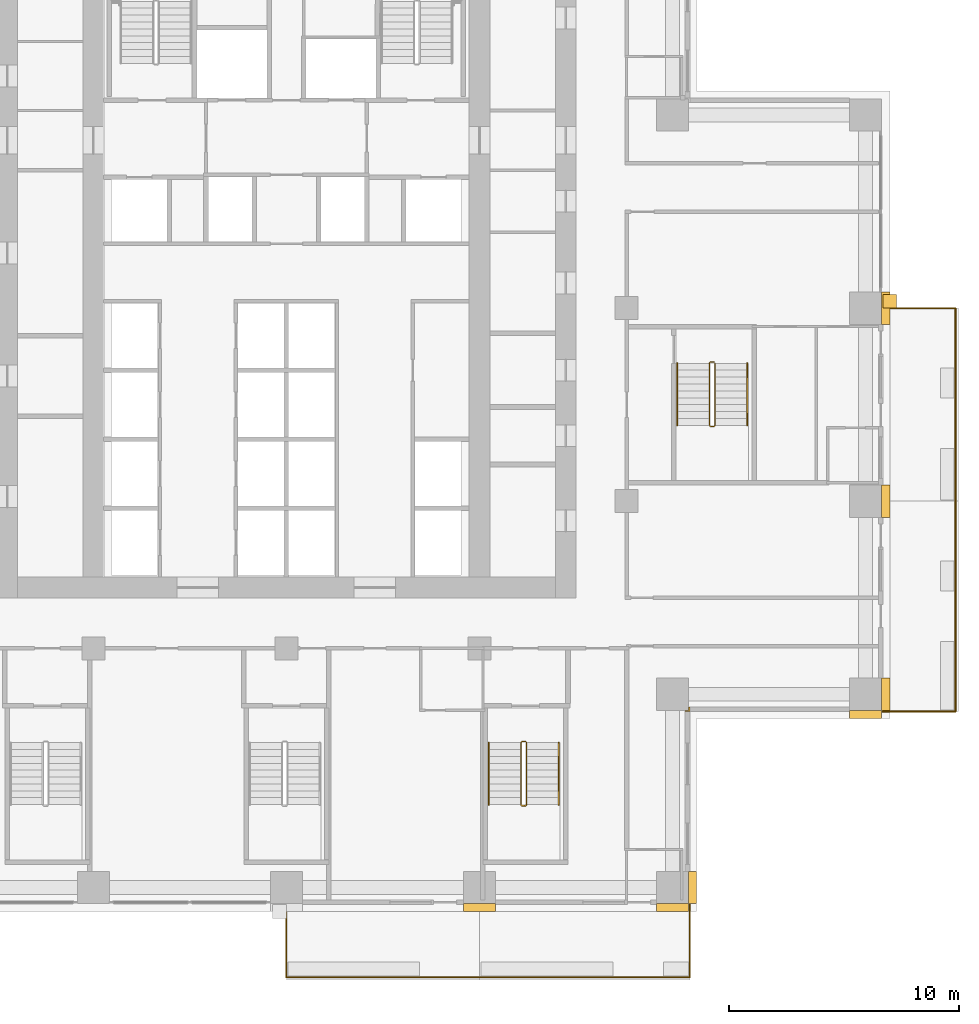
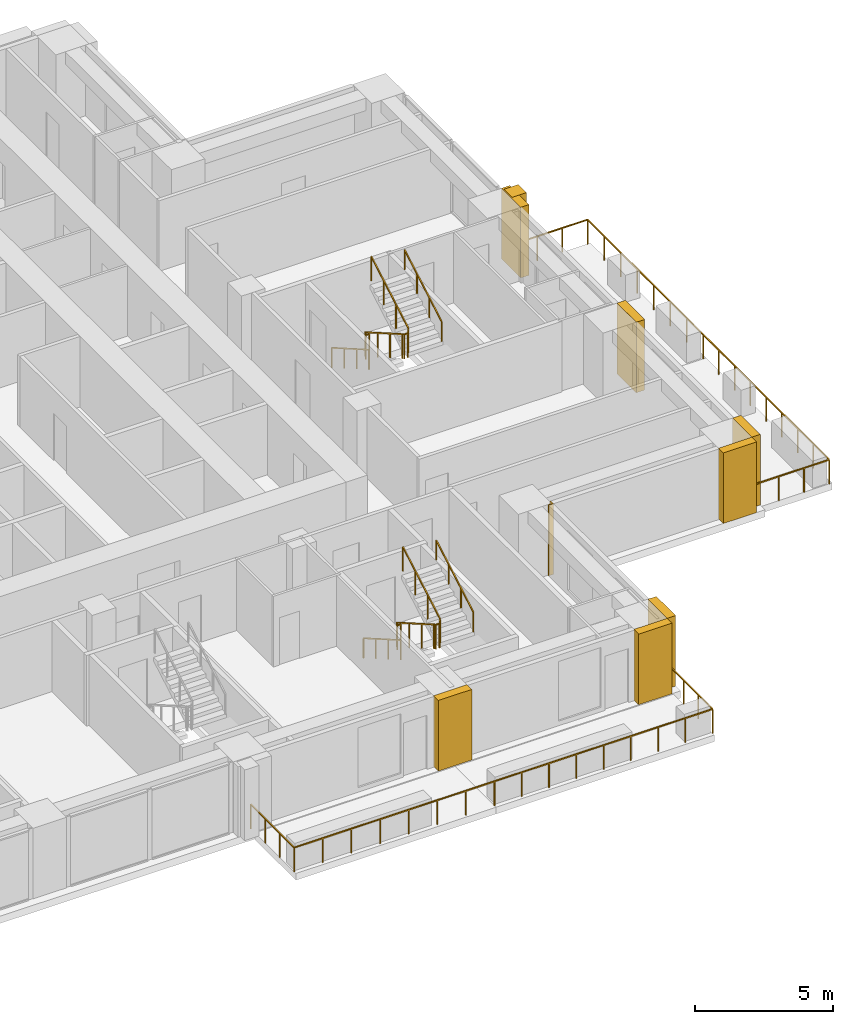
# One storey, part 16 of 17: 10 railings, 9 coverings.
"""IFC4 building model written with IfcOpenShell, lengths in metres."""

from ifc_helpers import new_model, si_unit, direction, frame, origin, origin_2d, place, context, subcontext, project, spatial, polyline, rectangle, outline, extrude, material, type_object, element, save


model = new_model("IFC4")

# Units and contexts
model_context = context("Model", 3, precision=1e-05, world=origin(), true_north=direction((0.0, 1.0)))
body_context = subcontext(model_context, "Body", "Model", "MODEL_VIEW")
ifc_project = project(units=[si_unit("LENGTHUNIT", "METRE"), si_unit("AREAUNIT", "SQUARE_METRE"), si_unit("VOLUMEUNIT", "CUBIC_METRE"), si_unit("PLANEANGLEUNIT", "RADIAN"), si_unit("MASSUNIT", "GRAM", prefix="KILO")], contexts=[model_context])

# Site, building, storey
site_placement = place(None, origin())
site = spatial("IfcSite", under=ifc_project, at=site_placement, CompositionType="ELEMENT")
building_placement = place(site_placement, origin())
building = spatial("IfcBuilding", under=site, at=building_placement, Name="Vermilion Ogive Tower", CompositionType="ELEMENT")
storey_placement = place(building_placement, frame((0.0, 0.0, 51.75)))
storey = spatial("IfcBuildingStorey", under=building, at=storey_placement, Name="L11", CompositionType="ELEMENT", Elevation=51.75)

# Railings
ifc_material_1 = material(Name="Stainless steel and glass", Category="steel")
railing_type_1 = type_object("IfcRailingType", Name="Balcony guard", PredefinedType="GUARDRAIL", material=ifc_material_1)
railing_1_placement = place(storey_placement, frame((0.0, -21.75, -0.0400390625)))
element("IfcRailing", 1, at=railing_1_placement, inside=storey, type_object=railing_type_1, Name="Guard S03", PredefinedType="GUARDRAIL", context=body_context, shape_type="SweptSolid", body=[
    extrude(rectangle(XDim=0.048095703125, YDim=0.048095703125, at=origin_2d()), frame((0.0, 0.0, 1.076171875), z_axis=(0.0, -1.0, 0.0), x_axis=(1.0, 0.0, 0.0)), (0.0, 0.0, 1.0), 3.159912109375),
    extrude(rectangle(XDim=0.048095703125, YDim=0.048095703125, at=origin_2d()), frame((0.0, -3.159912109375, 1.076171875), z_axis=(1.0, 0.0, 0.0), x_axis=(0.0, 1.0, 0.0)), (0.0, 0.0, 1.0), 8.39990234375),
    extrude(rectangle(XDim=0.0419921875, YDim=0.0419921875, at=origin_2d()), origin(), (0.0, 0.0, 1.0), 1.052001953125),
    extrude(rectangle(XDim=0.0419921875, YDim=0.0419921875, at=origin_2d()), frame((0.0, -1.05322265625, 0.0)), (0.0, 0.0, 1.0), 1.052001953125),
    extrude(rectangle(XDim=0.0419921875, YDim=0.0419921875, at=origin_2d()), frame((0.0, -2.106689453125, 0.0)), (0.0, 0.0, 1.0), 1.052001953125),
    extrude(rectangle(XDim=0.0419921875, YDim=0.0419921875, at=origin_2d()), frame((0.0, -3.159912109375, 0.0)), (0.0, 0.0, 1.0), 1.052001953125),
    extrude(rectangle(XDim=0.0419921875, YDim=0.0419921875, at=origin_2d()), frame((1.199951171875, -3.159912109375, 0.0)), (0.0, 0.0, 1.0), 1.052001953125),
    extrude(rectangle(XDim=0.0419921875, YDim=0.0419921875, at=origin_2d()), frame((2.39990234375, -3.159912109375, 0.0)), (0.0, 0.0, 1.0), 1.052001953125),
    extrude(rectangle(XDim=0.0419921875, YDim=0.0419921875, at=origin_2d()), frame((3.599853515625, -3.159912109375, 0.0)), (0.0, 0.0, 1.0), 1.052001953125),
    extrude(rectangle(XDim=0.0419921875, YDim=0.0419921875, at=origin_2d()), frame((4.800048828125, -3.159912109375, 0.0)), (0.0, 0.0, 1.0), 1.052001953125),
    extrude(rectangle(XDim=0.0419921875, YDim=0.0419921875, at=origin_2d()), frame((6.0, -3.159912109375, 0.0)), (0.0, 0.0, 1.0), 1.052001953125),
    extrude(rectangle(XDim=0.0419921875, YDim=0.0419921875, at=origin_2d()), frame((7.199951171875, -3.159912109375, 0.0)), (0.0, 0.0, 1.0), 1.052001953125),
    extrude(rectangle(XDim=0.0419921875, YDim=0.0419921875, at=origin_2d()), frame((8.39990234375, -3.159912109375, 0.0)), (0.0, 0.0, 1.0), 1.052001953125),
])
railing_2_placement = place(storey_placement, frame((8.39990234375, -24.909912109375, -0.0400390625)))
element("IfcRailing", 2, at=railing_2_placement, inside=storey, type_object=railing_type_1, Name="Guard S04", PredefinedType="GUARDRAIL", context=body_context, shape_type="SweptSolid", body=[
    extrude(rectangle(XDim=0.048095703125, YDim=0.048095703125, at=origin_2d()), frame((0.0, 0.0, 1.076171875), z_axis=(1.0, 0.0, 0.0), x_axis=(0.0, 1.0, 0.0)), (0.0, 0.0, 1.0), 9.150146484375),
    extrude(rectangle(XDim=0.048095703125, YDim=0.048095703125, at=origin_2d()), frame((9.150146484375, 0.0, 1.076171875), z_axis=(0.0, 1.0, 0.0), x_axis=(-1.0, 0.0, 0.0)), (0.0, 0.0, 1.0), 3.159912109375),
    extrude(rectangle(XDim=0.0419921875, YDim=0.0419921875, at=origin_2d()), origin(), (0.0, 0.0, 1.0), 1.052001953125),
    extrude(rectangle(XDim=0.0419921875, YDim=0.0419921875, at=origin_2d()), frame((1.143798828125, 0.0, 0.0)), (0.0, 0.0, 1.0), 1.052001953125),
    extrude(rectangle(XDim=0.0419921875, YDim=0.0419921875, at=origin_2d()), frame((2.28759765625, 0.0, 0.0)), (0.0, 0.0, 1.0), 1.052001953125),
    extrude(rectangle(XDim=0.0419921875, YDim=0.0419921875, at=origin_2d()), frame((3.431396484375, 0.0, 0.0)), (0.0, 0.0, 1.0), 1.052001953125),
    extrude(rectangle(XDim=0.0419921875, YDim=0.0419921875, at=origin_2d()), frame((4.5751953125, 0.0, 0.0)), (0.0, 0.0, 1.0), 1.052001953125),
    extrude(rectangle(XDim=0.0419921875, YDim=0.0419921875, at=origin_2d()), frame((5.71875, 0.0, 0.0)), (0.0, 0.0, 1.0), 1.052001953125),
    extrude(rectangle(XDim=0.0419921875, YDim=0.0419921875, at=origin_2d()), frame((6.862548828125, 0.0, 0.0)), (0.0, 0.0, 1.0), 1.052001953125),
    extrude(rectangle(XDim=0.0419921875, YDim=0.0419921875, at=origin_2d()), frame((8.00634765625, 0.0, 0.0)), (0.0, 0.0, 1.0), 1.052001953125),
    extrude(rectangle(XDim=0.0419921875, YDim=0.0419921875, at=origin_2d()), frame((9.150146484375, 0.0, 0.0)), (0.0, 0.0, 1.0), 1.052001953125),
    extrude(rectangle(XDim=0.0419921875, YDim=0.0419921875, at=origin_2d()), frame((9.150146484375, 1.05322265625, 0.0)), (0.0, 0.0, 1.0), 1.052001953125),
    extrude(rectangle(XDim=0.0419921875, YDim=0.0419921875, at=origin_2d()), frame((9.150146484375, 2.106689453125, 0.0)), (0.0, 0.0, 1.0), 1.052001953125),
    extrude(rectangle(XDim=0.0419921875, YDim=0.0419921875, at=origin_2d()), frame((9.150146484375, 3.159912109375, 0.0)), (0.0, 0.0, 1.0), 1.052001953125),
])
railing_3_placement = place(storey_placement, frame((25.949951171875, -13.35009765625, -0.0400390625)))
element("IfcRailing", 3, at=railing_3_placement, inside=storey, type_object=railing_type_1, Name="Guard E01", PredefinedType="GUARDRAIL", context=body_context, shape_type="SweptSolid", body=[
    extrude(rectangle(XDim=0.048095703125, YDim=0.048095703125, at=origin_2d()), frame((0.0, 0.0, 1.076171875), z_axis=(1.0, 0.0, 0.0), x_axis=(0.0, 1.0, 0.0)), (0.0, 0.0, 1.0), 3.16015625),
    extrude(rectangle(XDim=0.048095703125, YDim=0.048095703125, at=origin_2d()), frame((3.16015625, 0.0, 1.076171875), z_axis=(0.0, 1.0, 0.0), x_axis=(-1.0, 0.0, 0.0)), (0.0, 0.0, 1.0), 9.150146484375),
    extrude(rectangle(XDim=0.0419921875, YDim=0.0419921875, at=origin_2d()), origin(), (0.0, 0.0, 1.0), 1.052001953125),
    extrude(rectangle(XDim=0.0419921875, YDim=0.0419921875, at=origin_2d()), frame((1.053466796875, 0.0, 0.0)), (0.0, 0.0, 1.0), 1.052001953125),
    extrude(rectangle(XDim=0.0419921875, YDim=0.0419921875, at=origin_2d()), frame((2.106689453125, 0.0, 0.0)), (0.0, 0.0, 1.0), 1.052001953125),
    extrude(rectangle(XDim=0.0419921875, YDim=0.0419921875, at=origin_2d()), frame((3.16015625, 0.0, 0.0)), (0.0, 0.0, 1.0), 1.052001953125),
    extrude(rectangle(XDim=0.0419921875, YDim=0.0419921875, at=origin_2d()), frame((3.16015625, 1.143798828125, 0.0)), (0.0, 0.0, 1.0), 1.052001953125),
    extrude(rectangle(XDim=0.0419921875, YDim=0.0419921875, at=origin_2d()), frame((3.16015625, 2.28759765625, 0.0)), (0.0, 0.0, 1.0), 1.052001953125),
    extrude(rectangle(XDim=0.0419921875, YDim=0.0419921875, at=origin_2d()), frame((3.16015625, 3.431396484375, 0.0)), (0.0, 0.0, 1.0), 1.052001953125),
    extrude(rectangle(XDim=0.0419921875, YDim=0.0419921875, at=origin_2d()), frame((3.16015625, 4.5751953125, 0.0)), (0.0, 0.0, 1.0), 1.052001953125),
    extrude(rectangle(XDim=0.0419921875, YDim=0.0419921875, at=origin_2d()), frame((3.16015625, 5.71875, 0.0)), (0.0, 0.0, 1.0), 1.052001953125),
    extrude(rectangle(XDim=0.0419921875, YDim=0.0419921875, at=origin_2d()), frame((3.16015625, 6.862548828125, 0.0)), (0.0, 0.0, 1.0), 1.052001953125),
    extrude(rectangle(XDim=0.0419921875, YDim=0.0419921875, at=origin_2d()), frame((3.16015625, 8.00634765625, 0.0)), (0.0, 0.0, 1.0), 1.052001953125),
    extrude(rectangle(XDim=0.0419921875, YDim=0.0419921875, at=origin_2d()), frame((3.16015625, 9.150146484375, 0.0)), (0.0, 0.0, 1.0), 1.052001953125),
])
railing_4_placement = place(storey_placement, frame((29.110107421875, -4.199951171875, -0.0400390625)))
element("IfcRailing", 4, at=railing_4_placement, inside=storey, type_object=railing_type_1, Name="Guard E02", PredefinedType="GUARDRAIL", context=body_context, shape_type="SweptSolid", body=[
    extrude(rectangle(XDim=0.048095703125, YDim=0.048095703125, at=origin_2d()), frame((0.0, 0.0, 1.076171875), z_axis=(0.0, 1.0, 0.0), x_axis=(-1.0, 0.0, 0.0)), (0.0, 0.0, 1.0), 8.39990234375),
    extrude(rectangle(XDim=0.048095703125, YDim=0.048095703125, at=origin_2d()), frame((0.0, 8.39990234375, 1.076171875), z_axis=(-1.0, 0.0, 0.0), x_axis=(0.0, -1.0, 0.0)), (0.0, 0.0, 1.0), 3.16015625),
    extrude(rectangle(XDim=0.0419921875, YDim=0.0419921875, at=origin_2d()), origin(), (0.0, 0.0, 1.0), 1.052001953125),
    extrude(rectangle(XDim=0.0419921875, YDim=0.0419921875, at=origin_2d()), frame((0.0, 1.199951171875, 0.0)), (0.0, 0.0, 1.0), 1.052001953125),
    extrude(rectangle(XDim=0.0419921875, YDim=0.0419921875, at=origin_2d()), frame((0.0, 2.39990234375, 0.0)), (0.0, 0.0, 1.0), 1.052001953125),
    extrude(rectangle(XDim=0.0419921875, YDim=0.0419921875, at=origin_2d()), frame((0.0, 3.599853515625, 0.0)), (0.0, 0.0, 1.0), 1.052001953125),
    extrude(rectangle(XDim=0.0419921875, YDim=0.0419921875, at=origin_2d()), frame((0.0, 4.800048828125, 0.0)), (0.0, 0.0, 1.0), 1.052001953125),
    extrude(rectangle(XDim=0.0419921875, YDim=0.0419921875, at=origin_2d()), frame((0.0, 6.0, 0.0)), (0.0, 0.0, 1.0), 1.052001953125),
    extrude(rectangle(XDim=0.0419921875, YDim=0.0419921875, at=origin_2d()), frame((0.0, 7.199951171875, 0.0)), (0.0, 0.0, 1.0), 1.052001953125),
    extrude(rectangle(XDim=0.0419921875, YDim=0.0419921875, at=origin_2d()), frame((0.0, 8.39990234375, 0.0)), (0.0, 0.0, 1.0), 1.052001953125),
    extrude(rectangle(XDim=0.0419921875, YDim=0.0419921875, at=origin_2d()), frame((-1.053466796875, 8.39990234375, 0.0)), (0.0, 0.0, 1.0), 1.052001953125),
    extrude(rectangle(XDim=0.0419921875, YDim=0.0419921875, at=origin_2d()), frame((-2.106689453125, 8.39990234375, 0.0)), (0.0, 0.0, 1.0), 1.052001953125),
    extrude(rectangle(XDim=0.0419921875, YDim=0.0419921875, at=origin_2d()), frame((-3.16015625, 8.39990234375, 0.0)), (0.0, 0.0, 1.0), 1.052001953125),
])
ifc_material_2 = material(Name="Steel S355 painted", Category="steel")
railing_type_2 = type_object("IfcRailingType", Name="Stair guard 1100", PredefinedType="GUARDRAIL", material=ifc_material_2)
railing_5_placement = place(storey_placement, frame((10.39990234375, -14.64990234375, 0.0)))
element("IfcRailing", 5, at=railing_5_placement, inside=storey, type_object=railing_type_2, Name="L11 ST5 stair guard 4", PredefinedType="GUARDRAIL", context=body_context, shape_type="SweptSolid", body=[
    extrude(rectangle(XDim=0.048095703125, YDim=0.048095703125, at=origin_2d()), frame((0.0, 0.0, 1.076171875), z_axis=(-1.0, 0.0, 0.0), x_axis=(0.0, -1.0, 0.0)), (0.0, 0.0, 1.0), 0.14990234375),
    extrude(rectangle(XDim=0.048095703125, YDim=0.048095703125, at=origin_2d()), frame((-0.14990234375, 0.0, 1.076171875), z_axis=(-0.268277960024, -0.268277960024, 0.925231793839), x_axis=(0.707106781187, -0.707106781187, 0.0)), (0.0, 0.0, 1.0), 0.1865234375),
    extrude(rectangle(XDim=0.048095703125, YDim=0.048095703125, at=origin_2d()), frame((-0.199951171875, -0.050048828125, 1.24853515625), z_axis=(0.0, -0.866903762492, 0.498475542607), x_axis=(1.0, 0.0, 0.0)), (0.0, 0.0, 1.0), 3.114501953125),
    extrude(rectangle(XDim=0.048095703125, YDim=0.048095703125, at=origin_2d()), frame((-0.199951171875, -2.75, 2.80126953125), z_axis=(0.707106781187, -0.707106781187, 0.0), x_axis=(0.707106781187, 0.707106781187, 0.0)), (0.0, 0.0, 1.0), 0.07080078125),
    extrude(rectangle(XDim=0.048095703125, YDim=0.048095703125, at=origin_2d()), frame((-0.14990234375, -2.800048828125, 2.80126953125), z_axis=(1.0, 0.0, 0.0), x_axis=(0.0, 1.0, 0.0)), (0.0, 0.0, 1.0), 0.14990234375),
    extrude(rectangle(XDim=0.048095703125, YDim=0.048095703125, at=origin_2d()), frame((0.0, -2.800048828125, 2.80126953125), z_axis=(0.268603158521, 0.268603158521, 0.925043072762), x_axis=(-0.707106781187, 0.707106781187, 0.0)), (0.0, 0.0, 1.0), 0.186279296875),
    extrude(rectangle(XDim=0.048095703125, YDim=0.048095703125, at=origin_2d()), frame((0.050048828125, -2.75, 2.9736328125), z_axis=(0.0, 0.866903762492, 0.498475542607), x_axis=(-1.0, 0.0, 0.0)), (0.0, 0.0, 1.0), 3.114501953125),
    extrude(rectangle(XDim=0.0419921875, YDim=0.0419921875, at=origin_2d()), origin(), (0.0, 0.0, 1.0), 1.052001953125),
    extrude(rectangle(XDim=0.0419921875, YDim=0.0419921875, at=origin_2d()), frame((-0.14990234375, 0.0, 0.0)), (0.0, 0.0, 1.0), 1.052001953125),
    extrude(rectangle(XDim=0.0419921875, YDim=0.0419921875, at=origin_2d()), frame((-0.199951171875, -0.050048828125, 0.172607421875)), (0.0, 0.0, 1.0), 1.052001953125),
    extrude(rectangle(XDim=0.0419921875, YDim=0.0419921875, at=origin_2d()), frame((-0.199951171875, -0.949951171875, 0.690185546875)), (0.0, 0.0, 1.0), 1.052001953125),
    extrude(rectangle(XDim=0.0419921875, YDim=0.0419921875, at=origin_2d()), frame((-0.199951171875, -1.85009765625, 1.20751953125)), (0.0, 0.0, 1.0), 1.052001953125),
    extrude(rectangle(XDim=0.0419921875, YDim=0.0419921875, at=origin_2d()), frame((-0.199951171875, -2.75, 1.72509765625)), (0.0, 0.0, 1.0), 1.052001953125),
    extrude(rectangle(XDim=0.0419921875, YDim=0.0419921875, at=origin_2d()), frame((-0.14990234375, -2.800048828125, 1.72509765625)), (0.0, 0.0, 1.0), 1.052001953125),
    extrude(rectangle(XDim=0.0419921875, YDim=0.0419921875, at=origin_2d()), frame((0.0, -2.800048828125, 1.72509765625)), (0.0, 0.0, 1.0), 1.052001953125),
    extrude(rectangle(XDim=0.0419921875, YDim=0.0419921875, at=origin_2d()), frame((0.050048828125, -2.75, 1.8974609375)), (0.0, 0.0, 1.0), 1.052001953125),
    extrude(rectangle(XDim=0.0419921875, YDim=0.0419921875, at=origin_2d()), frame((0.050048828125, -1.85009765625, 2.4150390625)), (0.0, 0.0, 1.0), 1.052001953125),
    extrude(rectangle(XDim=0.0419921875, YDim=0.0419921875, at=origin_2d()), frame((0.050048828125, -0.949951171875, 2.932373046875)), (0.0, 0.0, 1.0), 1.052001953125),
    extrude(rectangle(XDim=0.0419921875, YDim=0.0419921875, at=origin_2d()), frame((0.050048828125, -0.050048828125, 3.449951171875)), (0.0, 0.0, 1.0), 1.052001953125),
])
railing_6_placement = place(storey_placement, frame((18.60009765625, 1.85009765625, 0.0)))
element("IfcRailing", 6, at=railing_6_placement, inside=storey, type_object=railing_type_2, Name="L11 ST8 stair guard 4", PredefinedType="GUARDRAIL", context=body_context, shape_type="SweptSolid", body=[
    extrude(rectangle(XDim=0.048095703125, YDim=0.048095703125, at=origin_2d()), frame((0.0, 0.0, 1.076171875), z_axis=(-1.0, 0.0, 0.0), x_axis=(0.0, -1.0, 0.0)), (0.0, 0.0, 1.0), 0.150146484375),
    extrude(rectangle(XDim=0.048095703125, YDim=0.048095703125, at=origin_2d()), frame((-0.150146484375, 0.0, 1.076171875), z_axis=(-0.268277960024, -0.268277960024, 0.925231793839), x_axis=(0.707106781187, -0.707106781187, 0.0)), (0.0, 0.0, 1.0), 0.1865234375),
    extrude(rectangle(XDim=0.048095703125, YDim=0.048095703125, at=origin_2d()), frame((-0.2001953125, -0.050048828125, 1.24853515625), z_axis=(0.0, -0.866903762492, 0.498475542607), x_axis=(1.0, 0.0, 0.0)), (0.0, 0.0, 1.0), 3.114501953125),
    extrude(rectangle(XDim=0.048095703125, YDim=0.048095703125, at=origin_2d()), frame((-0.2001953125, -2.75, 2.80126953125), z_axis=(0.707106781187, -0.707106781187, 0.0), x_axis=(0.707106781187, 0.707106781187, 0.0)), (0.0, 0.0, 1.0), 0.07080078125),
    extrude(rectangle(XDim=0.048095703125, YDim=0.048095703125, at=origin_2d()), frame((-0.150146484375, -2.800048828125, 2.80126953125), z_axis=(1.0, 0.0, 0.0), x_axis=(0.0, 1.0, 0.0)), (0.0, 0.0, 1.0), 0.150146484375),
    extrude(rectangle(XDim=0.048095703125, YDim=0.048095703125, at=origin_2d()), frame((0.0, -2.800048828125, 2.80126953125), z_axis=(0.267386790225, 0.268697509785, 0.925368009307), x_axis=(-0.708833529934, 0.705375805398, 0.0)), (0.0, 0.0, 1.0), 0.186279296875),
    extrude(rectangle(XDim=0.048095703125, YDim=0.048095703125, at=origin_2d()), frame((0.0498046875, -2.75, 2.9736328125), z_axis=(0.0, 0.866903762492, 0.498475542607), x_axis=(-1.0, 0.0, 0.0)), (0.0, 0.0, 1.0), 3.114501953125),
    extrude(rectangle(XDim=0.0419921875, YDim=0.0419921875, at=origin_2d()), origin(), (0.0, 0.0, 1.0), 1.052001953125),
    extrude(rectangle(XDim=0.0419921875, YDim=0.0419921875, at=origin_2d()), frame((-0.150146484375, 0.0, 0.0)), (0.0, 0.0, 1.0), 1.052001953125),
    extrude(rectangle(XDim=0.0419921875, YDim=0.0419921875, at=origin_2d()), frame((-0.2001953125, -0.050048828125, 0.172607421875)), (0.0, 0.0, 1.0), 1.052001953125),
    extrude(rectangle(XDim=0.0419921875, YDim=0.0419921875, at=origin_2d()), frame((-0.2001953125, -0.949951171875, 0.690185546875)), (0.0, 0.0, 1.0), 1.052001953125),
    extrude(rectangle(XDim=0.0419921875, YDim=0.0419921875, at=origin_2d()), frame((-0.2001953125, -1.85009765625, 1.20751953125)), (0.0, 0.0, 1.0), 1.052001953125),
    extrude(rectangle(XDim=0.0419921875, YDim=0.0419921875, at=origin_2d()), frame((-0.2001953125, -2.75, 1.72509765625)), (0.0, 0.0, 1.0), 1.052001953125),
    extrude(rectangle(XDim=0.0419921875, YDim=0.0419921875, at=origin_2d()), frame((-0.150146484375, -2.800048828125, 1.72509765625)), (0.0, 0.0, 1.0), 1.052001953125),
    extrude(rectangle(XDim=0.0419921875, YDim=0.0419921875, at=origin_2d()), frame((0.0, -2.800048828125, 1.72509765625)), (0.0, 0.0, 1.0), 1.052001953125),
    extrude(rectangle(XDim=0.0419921875, YDim=0.0419921875, at=origin_2d()), frame((0.0498046875, -2.75, 1.8974609375)), (0.0, 0.0, 1.0), 1.052001953125),
    extrude(rectangle(XDim=0.0419921875, YDim=0.0419921875, at=origin_2d()), frame((0.0498046875, -1.85009765625, 2.4150390625)), (0.0, 0.0, 1.0), 1.052001953125),
    extrude(rectangle(XDim=0.0419921875, YDim=0.0419921875, at=origin_2d()), frame((0.0498046875, -0.949951171875, 2.932373046875)), (0.0, 0.0, 1.0), 1.052001953125),
    extrude(rectangle(XDim=0.0419921875, YDim=0.0419921875, at=origin_2d()), frame((0.0498046875, -0.050048828125, 3.449951171875)), (0.0, 0.0, 1.0), 1.052001953125),
])
ifc_material_3 = material(Name="Stainless steel", Category="steel")
railing_type_3 = type_object("IfcRailingType", Name="Stair handrail 900", PredefinedType="HANDRAIL", material=ifc_material_3)
railing_7_placement = place(storey_placement, frame((8.800048828125, -14.699951171875, 0.172607421875)))
element("IfcRailing", 7, at=railing_7_placement, inside=storey, type_object=railing_type_3, Name="L11 ST5 stair handrail 1", PredefinedType="HANDRAIL", context=body_context, shape_type="SweptSolid", body=[
    extrude(rectangle(XDim=0.048095703125, YDim=0.048095703125, at=origin_2d()), frame((0.0, 0.0, 0.8759765625), z_axis=(0.0, -0.866903762492, 0.498475542607), x_axis=(1.0, 0.0, 0.0)), (0.0, 0.0, 1.0), 3.114501953125),
    extrude(rectangle(XDim=0.0419921875, YDim=0.0419921875, at=origin_2d()), origin(), (0.0, 0.0, 1.0), 0.851806640625),
    extrude(rectangle(XDim=0.0419921875, YDim=0.0419921875, at=origin_2d()), frame((0.0, -0.89990234375, 0.517578125)), (0.0, 0.0, 1.0), 0.851806640625),
    extrude(rectangle(XDim=0.0419921875, YDim=0.0419921875, at=origin_2d()), frame((0.0, -1.800048828125, 1.034912109375)), (0.0, 0.0, 1.0), 0.851806640625),
    extrude(rectangle(XDim=0.0419921875, YDim=0.0419921875, at=origin_2d()), frame((0.0, -2.699951171875, 1.552490234375)), (0.0, 0.0, 1.0), 0.851806640625),
])
railing_8_placement = place(storey_placement, frame((11.85009765625, -17.39990234375, 1.8974609375)))
element("IfcRailing", 8, at=railing_8_placement, inside=storey, type_object=railing_type_3, Name="L11 ST5 stair handrail 2", PredefinedType="HANDRAIL", context=body_context, shape_type="SweptSolid", body=[
    extrude(rectangle(XDim=0.048095703125, YDim=0.048095703125, at=origin_2d()), frame((0.0, 0.0, 0.8759765625), z_axis=(0.0, 0.866903762492, 0.498475542607), x_axis=(-1.0, 0.0, 0.0)), (0.0, 0.0, 1.0), 3.114501953125),
    extrude(rectangle(XDim=0.0419921875, YDim=0.0419921875, at=origin_2d()), origin(), (0.0, 0.0, 1.0), 0.851806640625),
    extrude(rectangle(XDim=0.0419921875, YDim=0.0419921875, at=origin_2d()), frame((0.0, 0.89990234375, 0.517578125)), (0.0, 0.0, 1.0), 0.851806640625),
    extrude(rectangle(XDim=0.0419921875, YDim=0.0419921875, at=origin_2d()), frame((0.0, 1.800048828125, 1.034912109375)), (0.0, 0.0, 1.0), 0.851806640625),
    extrude(rectangle(XDim=0.0419921875, YDim=0.0419921875, at=origin_2d()), frame((0.0, 2.699951171875, 1.552490234375)), (0.0, 0.0, 1.0), 0.851806640625),
])
railing_9_placement = place(storey_placement, frame((17.0, 1.800048828125, 0.172607421875)))
element("IfcRailing", 9, at=railing_9_placement, inside=storey, type_object=railing_type_3, Name="L11 ST8 stair handrail 1", PredefinedType="HANDRAIL", context=body_context, shape_type="SweptSolid", body=[
    extrude(rectangle(XDim=0.048095703125, YDim=0.048095703125, at=origin_2d()), frame((0.0, 0.0, 0.8759765625), z_axis=(0.0, -0.866903762492, 0.498475542607), x_axis=(1.0, 0.0, 0.0)), (0.0, 0.0, 1.0), 3.114501953125),
    extrude(rectangle(XDim=0.0419921875, YDim=0.0419921875, at=origin_2d()), origin(), (0.0, 0.0, 1.0), 0.851806640625),
    extrude(rectangle(XDim=0.0419921875, YDim=0.0419921875, at=origin_2d()), frame((0.0, -0.89990234375, 0.517578125)), (0.0, 0.0, 1.0), 0.851806640625),
    extrude(rectangle(XDim=0.0419921875, YDim=0.0419921875, at=origin_2d()), frame((0.0, -1.800048828125, 1.034912109375)), (0.0, 0.0, 1.0), 0.851806640625),
    extrude(rectangle(XDim=0.0419921875, YDim=0.0419921875, at=origin_2d()), frame((0.0, -2.699951171875, 1.552490234375)), (0.0, 0.0, 1.0), 0.851806640625),
])
railing_10_placement = place(storey_placement, frame((20.050048828125, -0.89990234375, 1.8974609375)))
element("IfcRailing", 10, at=railing_10_placement, inside=storey, type_object=railing_type_3, Name="L11 ST8 stair handrail 2", PredefinedType="HANDRAIL", context=body_context, shape_type="SweptSolid", body=[
    extrude(rectangle(XDim=0.048095703125, YDim=0.048095703125, at=origin_2d()), frame((0.0, 0.0, 0.8759765625), z_axis=(0.0, 0.866903762492, 0.498475542607), x_axis=(-1.0, 0.0, 0.0)), (0.0, 0.0, 1.0), 3.114501953125),
    extrude(rectangle(XDim=0.0419921875, YDim=0.0419921875, at=origin_2d()), origin(), (0.0, 0.0, 1.0), 0.851806640625),
    extrude(rectangle(XDim=0.0419921875, YDim=0.0419921875, at=origin_2d()), frame((0.0, 0.89990234375, 0.517578125)), (0.0, 0.0, 1.0), 0.851806640625),
    extrude(rectangle(XDim=0.0419921875, YDim=0.0419921875, at=origin_2d()), frame((0.0, 1.800048828125, 1.034912109375)), (0.0, 0.0, 1.0), 0.851806640625),
    extrude(rectangle(XDim=0.0419921875, YDim=0.0419921875, at=origin_2d()), frame((0.0, 2.699951171875, 1.552490234375)), (0.0, 0.0, 1.0), 0.851806640625),
])

# Coverings
ifc_material_4 = material(Name="Stone cladding", Category="masonry")
covering_type_1 = type_object("IfcCoveringType", Name="Stone corner buttress", PredefinedType="CLADDING", material=ifc_material_4)
covering_1_placement = place(storey_placement, origin())
element("IfcCovering", 11, at=covering_1_placement, inside=storey, type_object=covering_type_1, Name="Stone crease pier EK", PredefinedType="CLADDING", context=body_context, shape_type="SweptSolid", body=[
    extrude(outline(polyline([(26.550048828125, 4.199951171875), (26.550048828125, 4.800048828125), (25.949951171875, 4.800048828125), (25.949951171875, 4.199951171875), (26.550048828125, 4.199951171875)])), origin(), (0.0, 0.0, 1.0), 3.1298828125),
])
ifc_material_5 = material(Name="Stone cladding", Category="masonry")
covering_type_2 = type_object("IfcCoveringType", Name="Stone pier", PredefinedType="CLADDING", material=ifc_material_5)
covering_2_placement = place(storey_placement, origin())
element("IfcCovering", 12, at=covering_2_placement, inside=storey, type_object=covering_type_2, Name="Stone corner pier X1E1", PredefinedType="CLADDING", context=body_context, shape_type="SweptSolid", body=[
    extrude(outline(polyline([(17.35009765625, -13.300048828125), (17.5, -13.300048828125), (17.5, -13.14990234375), (17.550048828125, -13.14990234375), (17.550048828125, -13.35009765625), (17.35009765625, -13.35009765625), (17.35009765625, -13.300048828125)])), origin(), (0.0, 0.0, 1.0), 3.1298828125),
])
covering_3_placement = place(storey_placement, origin())
element("IfcCovering", 13, at=covering_3_placement, inside=storey, type_object=covering_type_2, Name="Stone pier P+0084-210", PredefinedType="CLADDING", context=body_context, shape_type="SweptSolid", body=[
    extrude(outline(polyline([(9.10009765625, -21.699951171875), (9.10009765625, -22.050048828125), (7.699951171875, -22.050048828125), (7.699951171875, -21.699951171875), (9.10009765625, -21.699951171875), (9.10009765625, -21.699951171875)])), origin(), (0.0, 0.0, 1.0), 3.1298828125),
])
covering_4_placement = place(storey_placement, origin())
element("IfcCovering", 14, at=covering_4_placement, inside=storey, type_object=covering_type_2, Name="Stone pier P+0168-210S", PredefinedType="CLADDING", context=body_context, shape_type="SweptSolid", body=[
    extrude(outline(polyline([(17.5, -21.699951171875), (17.5, -21.699951171875), (17.5, -22.050048828125), (16.10009765625, -22.050048828125), (16.10009765625, -21.699951171875), (16.10009765625, -21.699951171875), (17.5, -21.699951171875)])), origin(), (0.0, 0.0, 1.0), 3.1298828125),
])
covering_5_placement = place(storey_placement, origin())
element("IfcCovering", 15, at=covering_5_placement, inside=storey, type_object=covering_type_2, Name="Stone pier P+0168-210X1", PredefinedType="CLADDING", context=body_context, shape_type="SweptSolid", body=[
    extrude(outline(polyline([(17.85009765625, -21.699951171875), (17.5, -21.699951171875), (17.5, -21.699951171875), (17.5, -20.300048828125), (17.85009765625, -20.300048828125), (17.85009765625, -21.699951171875)])), origin(), (0.0, 0.0, 1.0), 3.1298828125),
])
covering_6_placement = place(storey_placement, origin())
element("IfcCovering", 16, at=covering_6_placement, inside=storey, type_object=covering_type_2, Name="Stone pier P+0252+042", PredefinedType="CLADDING", context=body_context, shape_type="SweptSolid", body=[
    extrude(outline(polyline([(26.25, 4.89990234375), (26.25, 4.800048828125), (25.949951171875, 4.800048828125), (25.949951171875, 4.199951171875), (26.25, 4.199951171875), (26.25, 3.5), (25.89990234375, 3.5), (25.89990234375, 4.89990234375), (26.25, 4.89990234375)])), origin(), (0.0, 0.0, 1.0), 3.1298828125),
])
covering_7_placement = place(storey_placement, origin())
element("IfcCovering", 17, at=covering_7_placement, inside=storey, type_object=covering_type_2, Name="Stone pier P+0252-042", PredefinedType="CLADDING", context=body_context, shape_type="SweptSolid", body=[
    extrude(outline(polyline([(26.25, -3.5), (26.25, -4.89990234375), (25.89990234375, -4.89990234375), (25.89990234375, -3.5), (26.25, -3.5)])), origin(), (0.0, 0.0, 1.0), 3.1298828125),
])
covering_8_placement = place(storey_placement, origin())
element("IfcCovering", 18, at=covering_8_placement, inside=storey, type_object=covering_type_2, Name="Stone pier P+0252-126X2", PredefinedType="CLADDING", context=body_context, shape_type="SweptSolid", body=[
    extrude(outline(polyline([(25.89990234375, -13.300048828125), (25.89990234375, -13.64990234375), (24.5, -13.64990234375), (24.5, -13.300048828125), (24.5, -13.300048828125), (25.89990234375, -13.300048828125)])), origin(), (0.0, 0.0, 1.0), 3.1298828125),
])
covering_9_placement = place(storey_placement, origin())
element("IfcCovering", 19, at=covering_9_placement, inside=storey, type_object=covering_type_2, Name="Stone pier P+0252-126E", PredefinedType="CLADDING", context=body_context, shape_type="SweptSolid", body=[
    extrude(outline(polyline([(26.25, -13.300048828125), (25.89990234375, -13.300048828125), (25.89990234375, -11.89990234375), (26.25, -11.89990234375), (26.25, -13.300048828125)])), origin(), (0.0, 0.0, 1.0), 3.1298828125),
])

save(model, "model.ifc")
